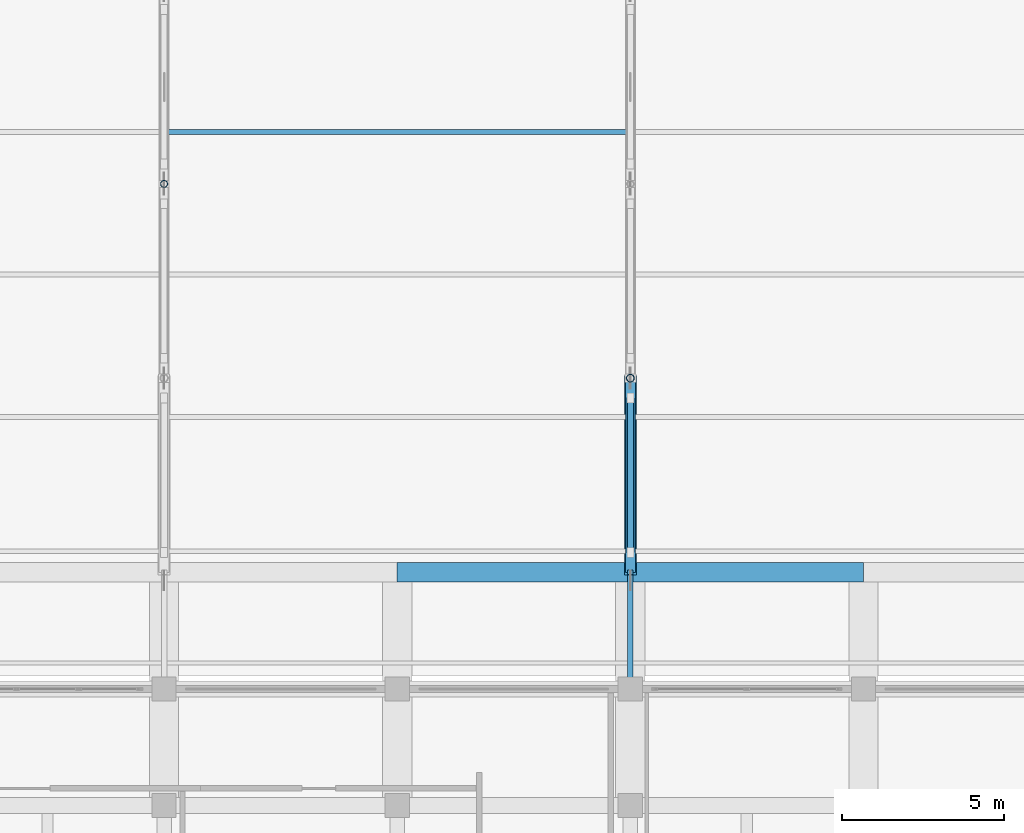
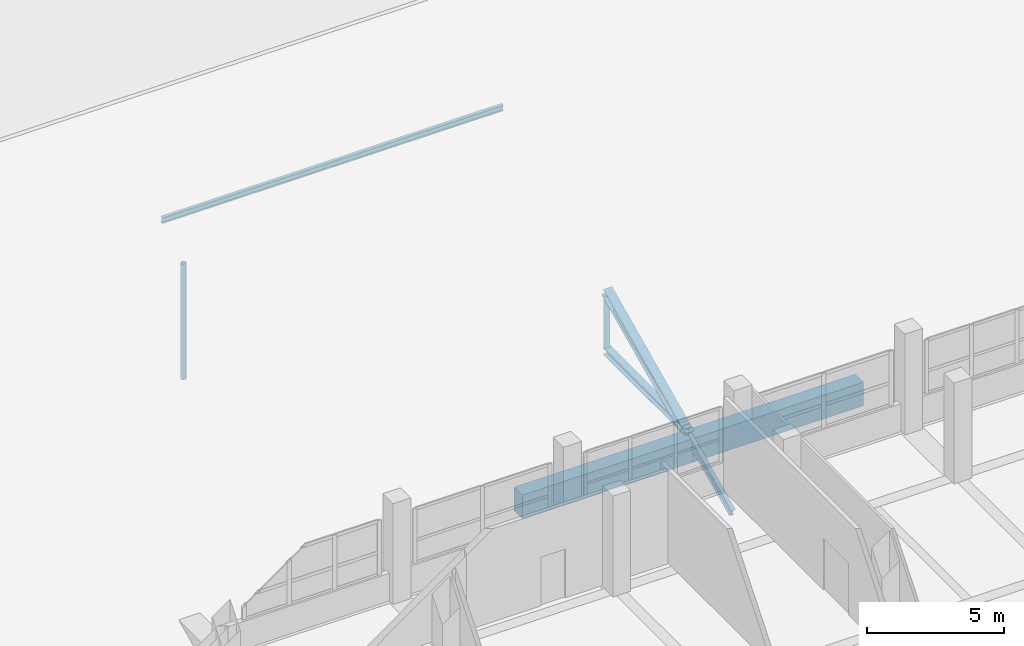
# One storey, part 96 of 141: 7 members, 2 beams, 2 elements without a shape of their own.
"""IFC4 building model written with IfcOpenShell, lengths in metres."""

from ifc_helpers import new_model, si_unit, direction, frame, origin, origin_2d, place, context, subcontext, project, spatial, rectangle, hollow_circle, i_section, extrude, material, material_profile, profile_set, type_object, element, aggregate, save


model = new_model("IFC4")

# Units and contexts
model_context = context("Model", 3, precision=1e-05, world=origin(), true_north=direction((0.0, 1.0)))
body_context = subcontext(model_context, "Body", "Model", "MODEL_VIEW")
ifc_project = project(units=[si_unit("LENGTHUNIT", "METRE"), si_unit("AREAUNIT", "SQUARE_METRE"), si_unit("VOLUMEUNIT", "CUBIC_METRE"), si_unit("PLANEANGLEUNIT", "RADIAN"), si_unit("MASSUNIT", "GRAM", prefix="KILO")], contexts=[model_context])

# Site, building, storey
site_placement = place(None, origin())
site = spatial("IfcSite", under=ifc_project, at=site_placement, CompositionType="ELEMENT")
building_placement = place(site_placement, origin())
building = spatial("IfcBuilding", under=site, at=building_placement, Name="Seraya Terrace Polytechnic", CompositionType="ELEMENT")
storey_placement = place(building_placement, frame((0.0, 0.0, 14.39990234375)))
storey = spatial("IfcBuildingStorey", under=building, at=storey_placement, Name="L03", CompositionType="ELEMENT", Elevation=14.39990234375)

# Assembly, member
ifc_material_1 = material(Name="Steel S355J2", Category="steel")
element_assembly_type = type_object("IfcElementAssemblyType", Name="TR-A1", PredefinedType="TRUSS", material=ifc_material_1)
assembly_1_placement = place(storey_placement, origin())
assembly_1 = element("IfcElementAssembly", 1, at=assembly_1_placement, inside=storey, type_object=element_assembly_type, Name="Pitched steel roof truss TR-06", AssemblyPlace="SITE", PredefinedType="TRUSS")
ifc_material_profile_1 = material_profile(ifc_material_1, i_section(OverallWidth=0.304931640625, OverallDepth=0.304931640625, WebThickness=0.014892578125, FlangeThickness=0.023681640625, at=origin_2d()), Name="UKC 305x305x14.9x23.8")
ifc_profile_set_1 = profile_set([ifc_material_profile_1], Name="Steel S355J2")
member_type_1 = type_object("IfcMemberType", Name="BC-01", PredefinedType="CHORD", material=ifc_profile_set_1)
member_1_placement = place(storey_placement, frame((86.39990234375, 79.199951171875, 0.150146484375), z_axis=(0.0, 1.0, 0.0), x_axis=(-1.0, 0.0, 0.0)))
member_1 = element("IfcMember", 2, at=member_1_placement, type_object=member_type_1, Name="TR-06 bottom chord 1", PredefinedType="CHORD", context=body_context, shape_type="SweptSolid", body=[
    extrude(i_section(OverallWidth=0.304931640625, OverallDepth=0.304931640625, WebThickness=0.014892578125, FlangeThickness=0.023681640625, at=origin_2d()), origin(), (0.0, 0.0, 1.0), 6.0),
])

# Beams
ifc_material_2 = material(Name="Concrete C40/50", Category="concrete")
ifc_material_profile_2 = material_profile(ifc_material_2, rectangle(XDim=0.60009765625, YDim=1.050048828125, at=origin_2d()), Name="RC 600x1050")
ifc_profile_set_2 = profile_set([ifc_material_profile_2], Name="Concrete C40/50")
beam_type = type_object("IfcBeamType", Name="BM-01", PredefinedType="BEAM", material=ifc_profile_set_2)
beam_1_placement = place(storey_placement, frame((79.199951171875, 79.199951171875, -0.52490234375), z_axis=(1.0, 0.0, 0.0), x_axis=(0.0, 1.0, 0.0)))
element("IfcBeam", 3, at=beam_1_placement, inside=storey, type_object=beam_type, Name="Beam BM-01 L03 X (79.2..86.4, 79.2)", PredefinedType="BEAM", context=body_context, shape_type="SweptSolid", body=[
    extrude(rectangle(XDim=0.60009765625, YDim=1.050048828125, at=origin_2d()), origin(), (0.0, 0.0, 1.0), 7.199951171875),
])
beam_2_placement = place(storey_placement, frame((86.39990234375, 79.199951171875, -0.52490234375), z_axis=(1.0, 0.0, 0.0), x_axis=(0.0, 1.0, 0.0)))
element("IfcBeam", 4, at=beam_2_placement, inside=storey, type_object=beam_type, Name="Beam BM-01 L03 X (86.4..93.6, 79.2)", PredefinedType="BEAM", context=body_context, shape_type="SweptSolid", body=[
    extrude(rectangle(XDim=0.60009765625, YDim=1.050048828125, at=origin_2d()), origin(), (0.0, 0.0, 1.0), 7.2001953125),
])

# Member
ifc_material_profile_3 = material_profile(ifc_material_1, hollow_circle(Radius=0.109619140625, WallThickness=0.010009765625, at=origin_2d()), Name="CHS 219.1x10.0")
ifc_profile_set_3 = profile_set([ifc_material_profile_3], Name="Steel S355J2")
member_type_2 = type_object("IfcMemberType", Name="BR-01", PredefinedType="BRACE", material=ifc_profile_set_3)
member_2_placement = place(storey_placement, frame((86.39990234375, 79.820068359375, 0.316650390625), z_axis=(0.0, 0.921775035169, 0.387725140453), x_axis=(-1.0, 0.0, 0.0)))
member_2 = element("IfcMember", 5, at=member_2_placement, type_object=member_type_2, Name="TR-06 web diagonal 1", PredefinedType="BRACE", context=body_context, shape_type="SweptSolid", body=[
    extrude(hollow_circle(Radius=0.109619140625, WallThickness=0.010009765625, at=origin_2d()), origin(), (0.0, 0.0, 1.0), 5.1640625),
])

ifc_material_profile_4 = material_profile(ifc_material_1, i_section(OverallWidth=0.14599609375, OverallDepth=0.25390625, WebThickness=0.007080078125, FlangeThickness=0.01416015625, at=origin_2d()), Name="UKB 254x146x7.2x14.2")
ifc_profile_set_4 = profile_set([ifc_material_profile_4], Name="Steel S355J2")
member_type_3 = type_object("IfcMemberType", Name="PR-01", PredefinedType="PURLIN", material=ifc_profile_set_4)
member_3_placement = place(storey_placement, frame((72.0, 92.800048828125, 6.376953125), z_axis=(1.0, 0.0, 0.0), x_axis=(0.0, 1.0, 0.0)))
element("IfcMember", 6, at=member_3_placement, inside=storey, type_object=member_type_3, Name="Workshop roof purlin PR-01 bay 5.5", PredefinedType="PURLIN", context=body_context, shape_type="SweptSolid", body=[
    extrude(i_section(OverallWidth=0.14599609375, OverallDepth=0.25390625, WebThickness=0.007080078125, FlangeThickness=0.01416015625, at=origin_2d()), origin(), (0.0, 0.0, 1.0), 14.39990234375),
])

ifc_material_profile_5 = material_profile(ifc_material_1, i_section(OverallWidth=0.1708984375, OverallDepth=0.35595703125, WebThickness=0.009033203125, FlangeThickness=0.015625, at=origin_2d()), Name="UKB 356x171x9.1x15.7")
ifc_profile_set_5 = profile_set([ifc_material_profile_5], Name="Steel S355J2")
member_type_4 = type_object("IfcMemberType", Name="RF-01", PredefinedType="RAFTER", material=ifc_profile_set_5)
member_4_placement = place(storey_placement, frame((86.39990234375, 79.199951171875, -0.052001953125), z_axis=(0.0, -0.906199036176, -0.422851400416), x_axis=(1.0, 0.0, 0.0)))
member_4 = element("IfcMember", 7, at=member_4_placement, type_object=member_type_4, Name="TR-06 South monsoon eave rafter", PredefinedType="RAFTER", context=body_context, shape_type="SweptSolid", body=[
    extrude(i_section(OverallWidth=0.1708984375, OverallDepth=0.35595703125, WebThickness=0.009033203125, FlangeThickness=0.015625, at=origin_2d()), origin(), (0.0, 0.0, 1.0), 3.53125),
])

ifc_material_profile_6 = material_profile(ifc_material_1, hollow_circle(Radius=0.122314453125, WallThickness=0.012451171875, at=origin_2d()), Name="CHS 244.5x12.5")
ifc_profile_set_6 = profile_set([ifc_material_profile_6], Name="Steel S355J2")
member_type_5 = type_object("IfcMemberType", Name="ST-M2", PredefinedType="STRUT", material=ifc_profile_set_6)
member_5_placement = place(storey_placement, frame((86.39990234375, 85.199951171875, 0.306640625), z_axis=(0.0, 0.0, 1.0), x_axis=(1.0, 0.0, 0.0)))
member_5 = element("IfcMember", 8, at=member_5_placement, type_object=member_type_5, Name="TR-06 vertical strut 2", PredefinedType="STRUT", context=body_context, shape_type="SweptSolid", body=[
    extrude(hollow_circle(Radius=0.122314453125, WallThickness=0.012451171875, at=origin_2d()), origin(), (0.0, 0.0, 1.0), 2.3115234375),
])

# Assembly, member
assembly_2_placement = place(storey_placement, origin())
assembly_2 = element("IfcElementAssembly", 9, at=assembly_2_placement, inside=storey, type_object=element_assembly_type, Name="Pitched steel roof truss TR-05", AssemblyPlace="SITE", PredefinedType="TRUSS")
ifc_material_profile_7 = material_profile(ifc_material_1, hollow_circle(Radius=0.109619140625, WallThickness=0.010009765625, at=origin_2d()), Name="CHS 219.1x10.0")
ifc_profile_set_7 = profile_set([ifc_material_profile_7], Name="Steel S355J2")
member_type_6 = type_object("IfcMemberType", Name="ST-M3", PredefinedType="STRUT", material=ifc_profile_set_7)
member_6_placement = place(storey_placement, frame((72.0, 91.199951171875, 0.281005859375), z_axis=(0.0, 0.0, 1.0), x_axis=(1.0, 0.0, 0.0)))
member_6 = element("IfcMember", 10, at=member_6_placement, type_object=member_type_6, Name="TR-05 vertical strut 3", PredefinedType="STRUT", context=body_context, shape_type="SweptSolid", body=[
    extrude(hollow_circle(Radius=0.109619140625, WallThickness=0.010009765625, at=origin_2d()), origin(), (0.0, 0.0, 1.0), 5.16259765625),
])
aggregate(assembly_2, [member_6])

# Member
ifc_material_profile_8 = material_profile(ifc_material_1, i_section(OverallWidth=0.367919921875, OverallDepth=0.35595703125, WebThickness=0.014892578125, FlangeThickness=0.0244140625, at=origin_2d()), Name="UKC 356x368x15.0x24.4")
ifc_profile_set_8 = profile_set([ifc_material_profile_8], Name="Steel S355J2")
member_type_7 = type_object("IfcMemberType", Name="TC-01", PredefinedType="CHORD", material=ifc_profile_set_8)
member_7_placement = place(storey_placement, frame((86.39990234375, 79.199951171875, 0.0), z_axis=(0.0, 0.906180313975, 0.422891521036), x_axis=(-1.0, 0.0, 0.0)))
member_7 = element("IfcMember", 11, at=member_7_placement, type_object=member_type_7, Name="TR-06 top chord 1", PredefinedType="CHORD", context=body_context, shape_type="SweptSolid", body=[
    extrude(i_section(OverallWidth=0.367919921875, OverallDepth=0.35595703125, WebThickness=0.014892578125, FlangeThickness=0.0244140625, at=origin_2d()), origin(), (0.0, 0.0, 1.0), 6.62109375),
])

aggregate(assembly_1, [member_1, member_7, member_5, member_2, member_4])

save(model, "model.ifc")
